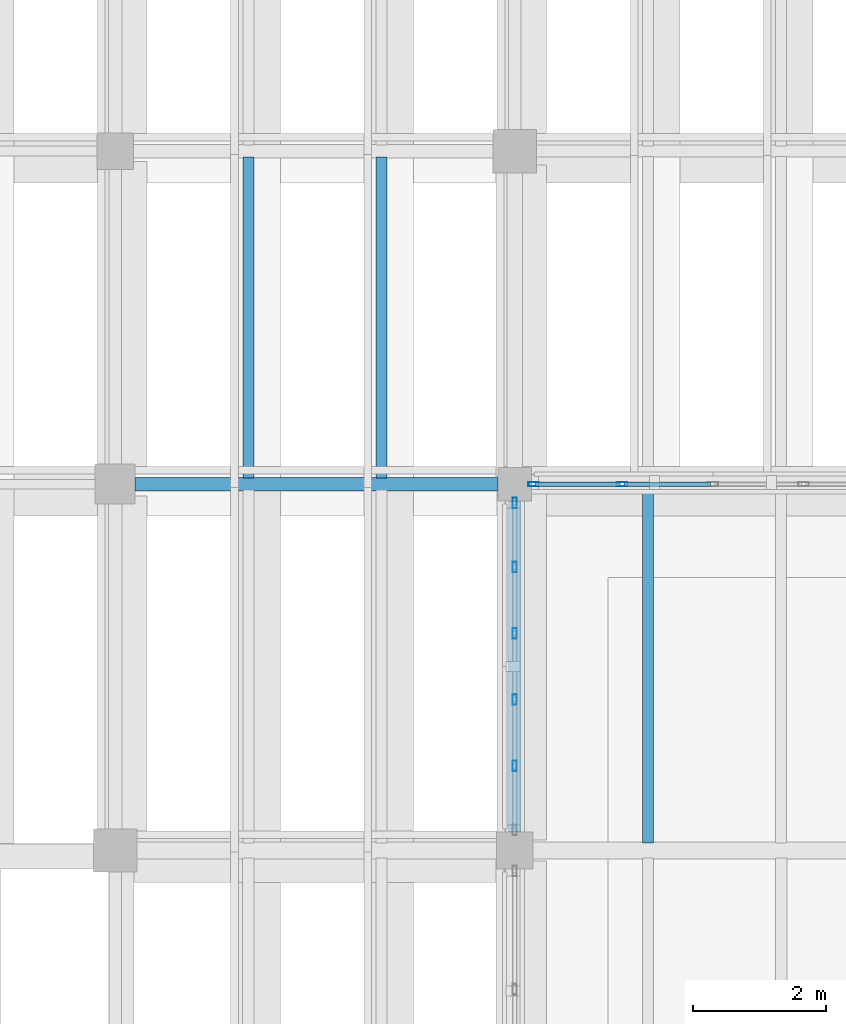
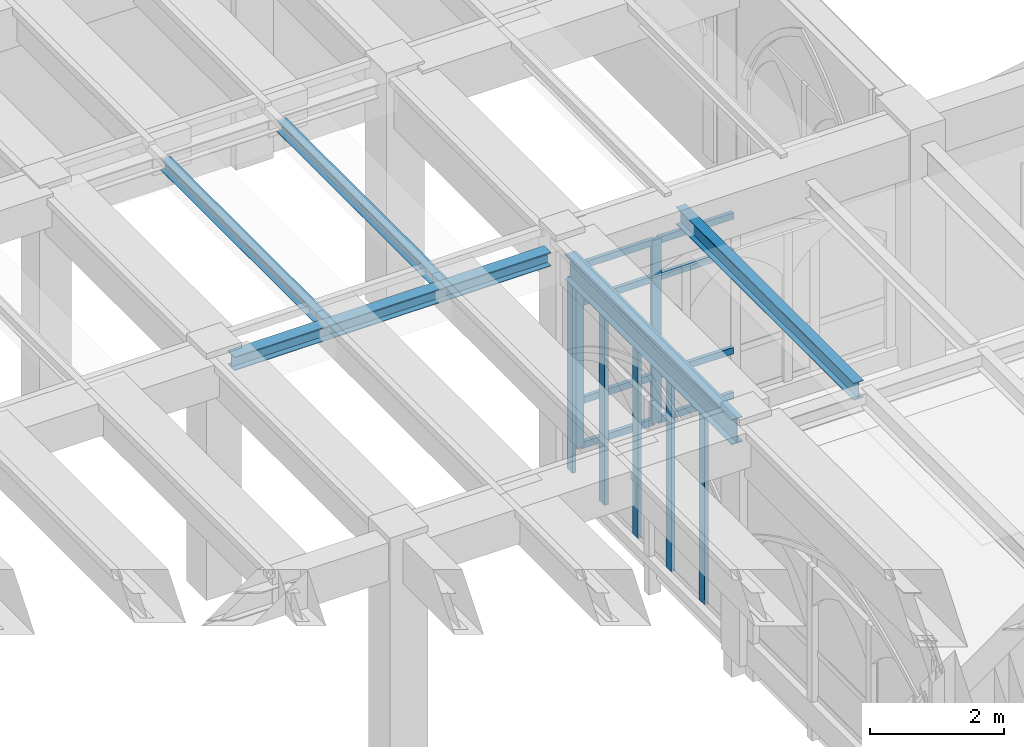
# One storey, part 33 of 127: 15 members, 5 beams, 2 elements without a shape of their own.
"""IFC4 building model written with IfcOpenShell, lengths in metres."""

from ifc_helpers import new_model, si_unit, direction, frame, origin, origin_2d, place, context, subcontext, project, spatial, hollow_rectangle, i_section, extrude, material, layer, layer_set, material_profile, profile_set, type_object, element, aggregate, save


model = new_model("IFC4")

# Units and contexts
model_context = context("Model", 3, precision=1e-05, world=origin(), true_north=direction((0.0, 1.0)))
body_context = subcontext(model_context, "Body", "Model", "MODEL_VIEW")
ifc_project = project(units=[si_unit("LENGTHUNIT", "METRE"), si_unit("AREAUNIT", "SQUARE_METRE"), si_unit("VOLUMEUNIT", "CUBIC_METRE"), si_unit("PLANEANGLEUNIT", "RADIAN"), si_unit("MASSUNIT", "GRAM", prefix="KILO")], contexts=[model_context])

# Site, building, storey
site_placement = place(None, origin())
site = spatial("IfcSite", under=ifc_project, at=site_placement, CompositionType="ELEMENT")
building_placement = place(site_placement, origin())
building = spatial("IfcBuilding", under=site, at=building_placement, Name="Cumevento Cable Car Station", CompositionType="ELEMENT")
storey_placement = place(building_placement, frame((0.0, 0.0, 4.5)))
storey = spatial("IfcBuildingStorey", under=building, at=storey_placement, Name="L02", CompositionType="ELEMENT", Elevation=4.5)

# Curtain wall, members
ifc_material_1 = material(Name="Anodised Bronze Aluminium AW-6063-T6", Category="aluminium")
ifc_layer_1 = layer(ifc_material_1, 0.22607421875)
ifc_layer_set_1 = layer_set([ifc_layer_1], Name="Anodised Bronze Aluminium AW-6063-T6")
curtain_wall_type_1 = type_object("IfcCurtainWallType", Name="Lancet Curtain Wall CW-12 1490", PredefinedType="NOTDEFINED", material=ifc_layer_set_1)
curtain_wall_1_placement = place(storey_placement, origin())
curtain_wall_1 = element("IfcCurtainWall", 1, at=curtain_wall_1_placement, inside=storey, type_object=curtain_wall_type_1, Name="Lancet Curtain Wall CW-12 L02 #59", PredefinedType="NOTDEFINED")
ifc_material_2 = material(Name="Anodised Bronze Aluminium AW-6063-T6", Category="aluminium")
ifc_material_profile_1 = material_profile(ifc_material_2, hollow_rectangle(XDim=0.06494140625, YDim=0.159912109375, WallThickness=0.00390625, at=origin_2d()), Name="ALUM65x160x4")
ifc_profile_set_1 = profile_set([ifc_material_profile_1], Name="Anodised Bronze Aluminium AW-6063-T6")
member_type_1 = type_object("IfcMemberType", Name="Curtain Mullion CWM-01 ALUM65x160x4", PredefinedType="MULLION", material=ifc_profile_set_1)
member_1_placement = place(storey_placement, frame((64.282470703125, 56.5, 0.31005859375), z_axis=(0.0, 0.0, 1.0), x_axis=(0.0, 1.0, 0.0)))
member_1 = element("IfcMember", 2, at=member_1_placement, type_object=member_type_1, Name="CW-12 mullion 1", PredefinedType="MULLION", context=body_context, shape_type="SweptSolid", body=[
    extrude(hollow_rectangle(XDim=0.06494140625, YDim=0.159912109375, WallThickness=0.00390625, at=origin_2d()), origin(), (0.0, 0.0, 1.0), 3.3369140625),
])
member_2_placement = place(storey_placement, frame((65.612548828125, 56.5, 0.31005859375), z_axis=(0.0, 0.0, 1.0), x_axis=(0.0, 1.0, 0.0)))
member_2 = element("IfcMember", 3, at=member_2_placement, type_object=member_type_1, Name="CW-12 mullion 2", PredefinedType="MULLION", context=body_context, shape_type="SweptSolid", body=[
    extrude(hollow_rectangle(XDim=0.06494140625, YDim=0.159912109375, WallThickness=0.00390625, at=origin_2d()), origin(), (0.0, 0.0, 1.0), 3.3369140625),
])

ifc_material_3 = material(Name="Anodised Bronze Aluminium AW-6063-T6", Category="aluminium")
ifc_layer_2 = layer(ifc_material_3, 0.159912109375)
ifc_layer_set_2 = layer_set([ifc_layer_2], Name="Anodised Bronze Aluminium AW-6063-T6")
curtain_wall_type_2 = type_object("IfcCurtainWallType", Name="Lancet Curtain Wall CW-01 1050", PredefinedType="NOTDEFINED", material=ifc_layer_set_2)
curtain_wall_2_placement = place(storey_placement, origin())
curtain_wall_2 = element("IfcCurtainWall", 4, at=curtain_wall_2_placement, inside=storey, type_object=curtain_wall_type_2, Name="Lancet Curtain Wall CW-01 L02 #64", PredefinedType="NOTDEFINED")
member_3_placement = place(storey_placement, frame((64.0, 52.27001953125, 0.159912109375), z_axis=(0.0, 0.0, 1.0), x_axis=(-1.0, 0.0, 0.0)))
member_3 = element("IfcMember", 5, at=member_3_placement, type_object=member_type_1, Name="CW-01 mullion 2", PredefinedType="MULLION", context=body_context, shape_type="SweptSolid", body=[
    extrude(hollow_rectangle(XDim=0.06494140625, YDim=0.159912109375, WallThickness=0.00390625, at=origin_2d()), origin(), (0.0, 0.0, 1.0), 3.4931640625),
])
member_4_placement = place(storey_placement, frame((64.0, 53.264892578125, 0.159912109375), z_axis=(0.0, 0.0, 1.0), x_axis=(-1.0, 0.0, 0.0)))
member_4 = element("IfcMember", 6, at=member_4_placement, type_object=member_type_1, Name="CW-01 mullion 3", PredefinedType="MULLION", context=body_context, shape_type="SweptSolid", body=[
    extrude(hollow_rectangle(XDim=0.06494140625, YDim=0.159912109375, WallThickness=0.00390625, at=origin_2d()), origin(), (0.0, 0.0, 1.0), 3.4931640625),
])
member_5_placement = place(storey_placement, frame((64.0, 54.260009765625, 0.159912109375), z_axis=(0.0, 0.0, 1.0), x_axis=(-1.0, 0.0, 0.0)))
member_5 = element("IfcMember", 7, at=member_5_placement, type_object=member_type_1, Name="CW-01 mullion 4", PredefinedType="MULLION", context=body_context, shape_type="SweptSolid", body=[
    extrude(hollow_rectangle(XDim=0.06494140625, YDim=0.159912109375, WallThickness=0.00390625, at=origin_2d()), origin(), (0.0, 0.0, 1.0), 3.4931640625),
])
member_6_placement = place(storey_placement, frame((64.0, 55.2548828125, 0.159912109375), z_axis=(0.0, 0.0, 1.0), x_axis=(-1.0, 0.0, 0.0)))
member_6 = element("IfcMember", 8, at=member_6_placement, type_object=member_type_1, Name="CW-01 mullion 5", PredefinedType="MULLION", context=body_context, shape_type="SweptSolid", body=[
    extrude(hollow_rectangle(XDim=0.06494140625, YDim=0.159912109375, WallThickness=0.00390625, at=origin_2d()), origin(), (0.0, 0.0, 1.0), 3.4931640625),
])
member_7_placement = place(storey_placement, frame((64.0, 56.217529296875, 0.159912109375), z_axis=(0.0, 0.0, 1.0), x_axis=(-1.0, 0.0, 0.0)))
member_7 = element("IfcMember", 9, at=member_7_placement, type_object=member_type_1, Name="CW-01 mullion 6", PredefinedType="MULLION", context=body_context, shape_type="SweptSolid", body=[
    extrude(hollow_rectangle(XDim=0.06494140625, YDim=0.159912109375, WallThickness=0.00390625, at=origin_2d()), origin(), (0.0, 0.0, 1.0), 3.4931640625),
])
aggregate(curtain_wall_2, [member_3, member_4, member_5, member_6, member_7])

# Member
ifc_material_4 = material(Name="Anodised Bronze Aluminium AW-6063-T6", Category="aluminium")
ifc_material_profile_2 = material_profile(ifc_material_4, hollow_rectangle(XDim=0.06494140625, YDim=0.1201171875, WallThickness=0.00390625, at=origin_2d()), Name="ALUT65x120x4")
ifc_profile_set_2 = profile_set([ifc_material_profile_2], Name="Anodised Bronze Aluminium AW-6063-T6")
member_type_2 = type_object("IfcMemberType", Name="Curtain Transom CWT-01 ALUT65x120x4", PredefinedType="USERDEFINED", material=ifc_profile_set_2)
member_8_placement = place(storey_placement, frame((64.31494140625, 56.5, 0.342529296875), z_axis=(1.0, 0.0, 0.0), x_axis=(0.0, 1.0, 0.0)))
member_8 = element("IfcMember", 10, at=member_8_placement, type_object=member_type_2, Name="CW-12 transom 1.1", ObjectType="TRANSOM", PredefinedType="USERDEFINED", context=body_context, shape_type="SweptSolid", body=[
    extrude(hollow_rectangle(XDim=0.06494140625, YDim=0.1201171875, WallThickness=0.00390625, at=origin_2d()), origin(), (0.0, 0.0, 1.0), 1.26513671875),
])

member_9_placement = place(storey_placement, frame((64.31494140625, 56.5, 1.159912109375), z_axis=(1.0, 0.0, 0.0), x_axis=(0.0, 1.0, 0.0)))
member_9 = element("IfcMember", 11, at=member_9_placement, type_object=member_type_2, Name="CW-12 transom 1.2", ObjectType="TRANSOM", PredefinedType="USERDEFINED", context=body_context, shape_type="SweptSolid", body=[
    extrude(hollow_rectangle(XDim=0.06494140625, YDim=0.1201171875, WallThickness=0.00390625, at=origin_2d()), origin(), (0.0, 0.0, 1.0), 1.26513671875),
])

member_10_placement = place(storey_placement, frame((64.31494140625, 56.5, 2.947021484375), z_axis=(1.0, 0.0, 0.0), x_axis=(0.0, 1.0, 0.0)))
member_10 = element("IfcMember", 12, at=member_10_placement, type_object=member_type_2, Name="CW-12 transom 1.3", ObjectType="TRANSOM", PredefinedType="USERDEFINED", context=body_context, shape_type="SweptSolid", body=[
    extrude(hollow_rectangle(XDim=0.06494140625, YDim=0.1201171875, WallThickness=0.00390625, at=origin_2d()), origin(), (0.0, 0.0, 1.0), 1.26513671875),
])

member_11_placement = place(storey_placement, frame((64.31494140625, 56.5, 3.614501953125), z_axis=(1.0, 0.0, 0.0), x_axis=(0.0, 1.0, 0.0)))
member_11 = element("IfcMember", 13, at=member_11_placement, type_object=member_type_2, Name="CW-12 transom 1.4", ObjectType="TRANSOM", PredefinedType="USERDEFINED", context=body_context, shape_type="SweptSolid", body=[
    extrude(hollow_rectangle(XDim=0.06494140625, YDim=0.1201171875, WallThickness=0.00390625, at=origin_2d()), origin(), (0.0, 0.0, 1.0), 1.26513671875),
])

member_12_placement = place(storey_placement, frame((65.64501953125, 56.5, 0.342529296875), z_axis=(1.0, 0.0, 0.0), x_axis=(0.0, 1.0, 0.0)))
member_12 = element("IfcMember", 14, at=member_12_placement, type_object=member_type_2, Name="CW-12 transom 2.1", ObjectType="TRANSOM", PredefinedType="USERDEFINED", context=body_context, shape_type="SweptSolid", body=[
    extrude(hollow_rectangle(XDim=0.06494140625, YDim=0.1201171875, WallThickness=0.00390625, at=origin_2d()), origin(), (0.0, 0.0, 1.0), 1.29736328125),
])

member_13_placement = place(storey_placement, frame((65.64501953125, 56.5, 1.159912109375), z_axis=(1.0, 0.0, 0.0), x_axis=(0.0, 1.0, 0.0)))
member_13 = element("IfcMember", 15, at=member_13_placement, type_object=member_type_2, Name="CW-12 transom 2.2", ObjectType="TRANSOM", PredefinedType="USERDEFINED", context=body_context, shape_type="SweptSolid", body=[
    extrude(hollow_rectangle(XDim=0.06494140625, YDim=0.1201171875, WallThickness=0.00390625, at=origin_2d()), origin(), (0.0, 0.0, 1.0), 1.29736328125),
])

member_14_placement = place(storey_placement, frame((65.64501953125, 56.5, 2.947021484375), z_axis=(1.0, 0.0, 0.0), x_axis=(0.0, 1.0, 0.0)))
member_14 = element("IfcMember", 16, at=member_14_placement, type_object=member_type_2, Name="CW-12 transom 2.3", ObjectType="TRANSOM", PredefinedType="USERDEFINED", context=body_context, shape_type="SweptSolid", body=[
    extrude(hollow_rectangle(XDim=0.06494140625, YDim=0.1201171875, WallThickness=0.00390625, at=origin_2d()), origin(), (0.0, 0.0, 1.0), 1.29736328125),
])

member_15_placement = place(storey_placement, frame((65.64501953125, 56.5, 3.614501953125), z_axis=(1.0, 0.0, 0.0), x_axis=(0.0, 1.0, 0.0)))
member_15 = element("IfcMember", 17, at=member_15_placement, type_object=member_type_2, Name="CW-12 transom 2.4", ObjectType="TRANSOM", PredefinedType="USERDEFINED", context=body_context, shape_type="SweptSolid", body=[
    extrude(hollow_rectangle(XDim=0.06494140625, YDim=0.1201171875, WallThickness=0.00390625, at=origin_2d()), origin(), (0.0, 0.0, 1.0), 1.29736328125),
])

aggregate(curtain_wall_1, [member_1, member_2, member_8, member_9, member_10, member_11, member_12, member_13, member_14, member_15])

# Beams
ifc_material_5 = material(Name="Steel ASTM A572 Grade 50", Category="steel")
ifc_material_profile_3 = material_profile(ifc_material_5, i_section(OverallWidth=0.18994140625, OverallDepth=0.45703125, WebThickness=0.009033203125, FlangeThickness=0.014404296875, at=origin_2d()), Name="W460x74.0")
ifc_profile_set_3 = profile_set([ifc_material_profile_3], Name="Steel ASTM A572 Grade 50")
beam_type_1 = type_object("IfcBeamType", Name="Structural Beam BM-04 W460x74.0", PredefinedType="BEAM", material=ifc_profile_set_3)
beam_1_placement = place(storey_placement, frame((64.0, 51.27490234375, 3.881591796875), z_axis=(0.0, 1.0, 0.0), x_axis=(-1.0, 0.0, 0.0)))
element("IfcBeam", 18, at=beam_1_placement, inside=storey, type_object=beam_type_1, Name="Beam BM-04 L02 #593", PredefinedType="BEAM", context=body_context, shape_type="SweptSolid", body=[
    extrude(i_section(OverallWidth=0.18994140625, OverallDepth=0.45703125, WebThickness=0.009033203125, FlangeThickness=0.014404296875, at=origin_2d()), origin(), (0.0, 0.0, 1.0), 4.97509765625),
])
ifc_material_6 = material(Name="Steel ASTM A572 Grade 50", Category="steel")
ifc_material_profile_4 = material_profile(ifc_material_6, i_section(OverallWidth=0.202880859375, OverallDepth=0.251953125, WebThickness=0.008056640625, FlangeThickness=0.013427734375, at=origin_2d()), Name="W250x58.0")
ifc_profile_set_4 = profile_set([ifc_material_profile_4], Name="Steel ASTM A572 Grade 50")
beam_type_2 = type_object("IfcBeamType", Name="Structural Beam BM-08 W250x58.0", PredefinedType="BEAM", material=ifc_profile_set_4)
beam_2_placement = place(storey_placement, frame((58.300048828125, 56.5, 3.98388671875), z_axis=(1.0, 0.0, 0.0), x_axis=(0.0, 1.0, 0.0)))
element("IfcBeam", 19, at=beam_2_placement, inside=storey, type_object=beam_type_2, Name="Beam BM-08 L02 #589", PredefinedType="BEAM", context=body_context, shape_type="SweptSolid", body=[
    extrude(i_section(OverallWidth=0.202880859375, OverallDepth=0.251953125, WebThickness=0.008056640625, FlangeThickness=0.013427734375, at=origin_2d()), origin(), (0.0, 0.0, 1.0), 5.449951171875),
])
ifc_material_7 = material(Name="Steel ASTM A572 Grade 50", Category="steel")
ifc_material_profile_5 = material_profile(ifc_material_7, i_section(OverallWidth=0.1669921875, OverallDepth=0.31689453125, WebThickness=0.007568359375, FlangeThickness=0.01318359375, at=origin_2d()), Name="W310x52.0")
ifc_profile_set_5 = profile_set([ifc_material_profile_5], Name="Steel ASTM A572 Grade 50")
beam_type_3 = type_object("IfcBeamType", Name="Structural Joist JS-02 W310x52.0", PredefinedType="JOIST", material=ifc_profile_set_5)
beam_3_placement = place(storey_placement, frame((66.0, 51.114990234375, 4.011474609375), z_axis=(0.0, 1.0, 0.0), x_axis=(-1.0, 0.0, 0.0)))
element("IfcBeam", 20, at=beam_3_placement, inside=storey, type_object=beam_type_3, Name="Composite Floor Joist JS-02 L02 #819", PredefinedType="JOIST", context=body_context, shape_type="SweptSolid", body=[
    extrude(i_section(OverallWidth=0.1669921875, OverallDepth=0.31689453125, WebThickness=0.007568359375, FlangeThickness=0.01318359375, at=origin_2d()), origin(), (0.0, 0.0, 1.0), 5.301025390625),
])
ifc_material_8 = material(Name="Steel ASTM A572 Grade 50", Category="steel")
ifc_material_profile_6 = material_profile(ifc_material_8, i_section(OverallWidth=0.1650390625, OverallDepth=0.200927734375, WebThickness=0.006103515625, FlangeThickness=0.01025390625, at=origin_2d()), Name="W200x35.9")
ifc_profile_set_6 = profile_set([ifc_material_profile_6], Name="Steel ASTM A572 Grade 50")
beam_type_4 = type_object("IfcBeamType", Name="Structural Joist JS-04 W200x35.9", PredefinedType="JOIST", material=ifc_profile_set_6)
for number, where, z_axis, x_axis, name in (
    (21, (60.0, 56.589599609375, 4.009521484375), (0.0, 1.0, 0.0), (-1.0, 0.0, 0.0), "Composite Floor Joist JS-04 L02 #858"),
    (22, (62.0, 56.589599609375, 4.009521484375), (0.0, 1.0, 0.0), (-1.0, 0.0, 0.0), "Composite Floor Joist JS-04 L02 #860"),
):
    element("IfcBeam", number, at=place(storey_placement, frame(where, z_axis=z_axis, x_axis=x_axis)), inside=storey, type_object=beam_type_4, Name=name, PredefinedType="JOIST", context=body_context, shape_type="SweptSolid", body=[
        extrude(i_section(OverallWidth=0.1650390625, OverallDepth=0.200927734375, WebThickness=0.006103515625, FlangeThickness=0.01025390625, at=origin_2d()), origin(), (0.0, 0.0, 1.0), 4.82080078125),
    ])

save(model, "model.ifc")
